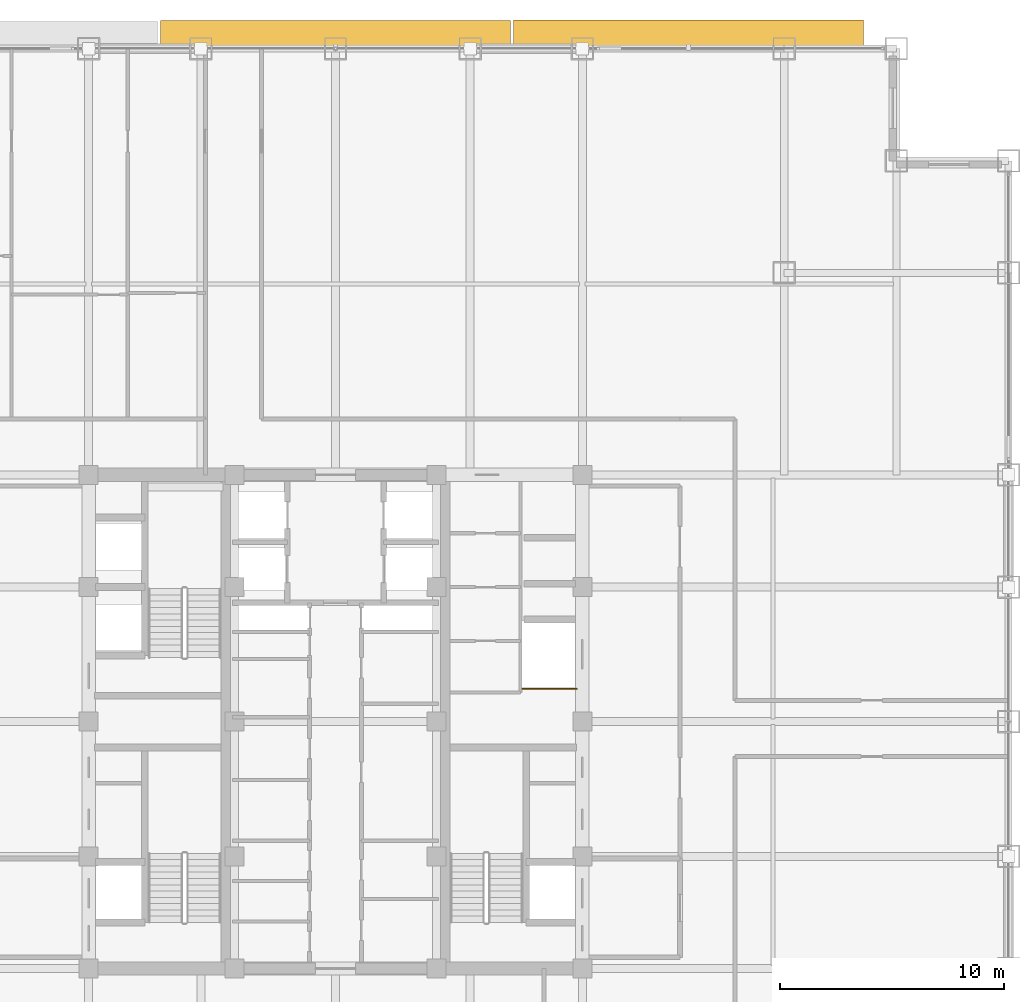
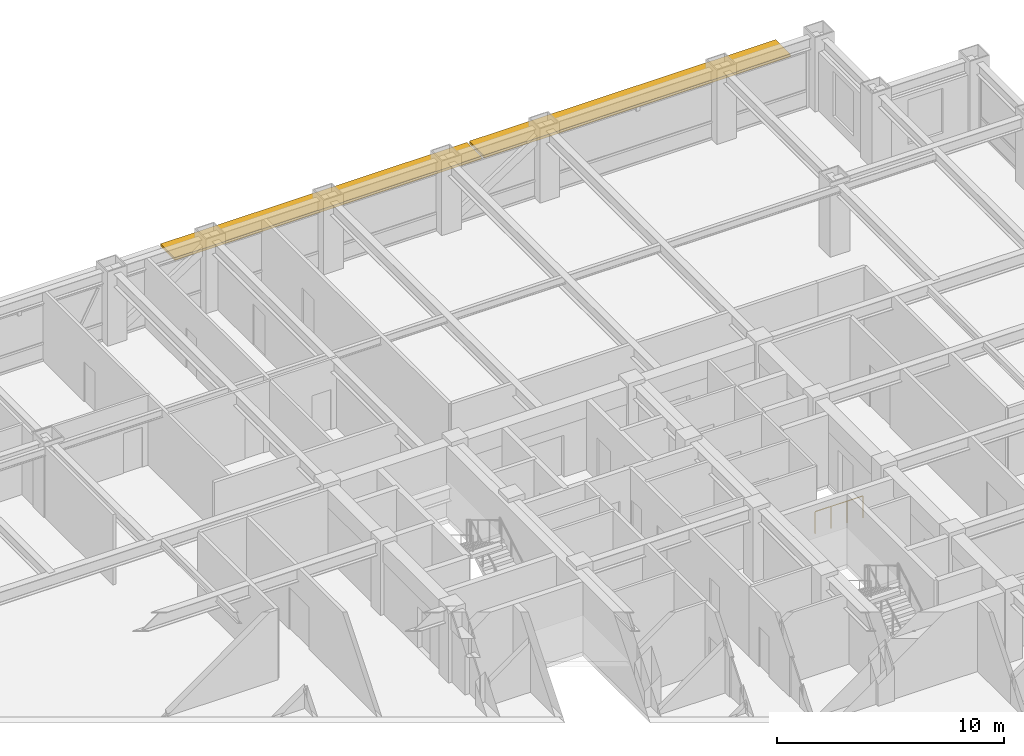
# One storey, part 29 of 29: 2 shading devices, 1 railing.
"""IFC4 building model written with IfcOpenShell, lengths in metres."""

import ifcopenshell
import ifcopenshell.guid

model = None  # the IFC model being written
_history = None  # IfcOwnerHistory: only IFC2X3 demands one
_inside = {}  # id of a spatial element -> (the spatial element, [elements in it])
_under = {}  # id of a project, library or spatial element -> (it, [spatial elements below it])
_declared = {}  # id of a project -> (the project, [libraries it declares])
_typed = {}  # id of a type object -> (the type object, [elements of that type])
_made_of = {}  # id of a material, layer set ... -> (it, [elements and type objects made of it])


def new_model(schema):
    """Start an empty IFC model of exactly this schema.

    Asked for "IFC4X3", IfcOpenShell would pick the latest addendum, in which some entities
    have other attributes; the version numbers below select the first issue.
    IFC2X3 requires an IfcOwnerHistory on every rooted entity: one is made here for all.
    """
    global model, _history
    if schema == "IFC4X3":
        model = ifcopenshell.file(schema_version=(4, 3, 0, 0))
    else:
        model = ifcopenshell.file(schema=schema)
    _inside.clear()
    _under.clear()
    _declared.clear()
    _typed.clear()
    _made_of.clear()
    _history = None
    if model.schema == "IFC2X3":
        org = make("IfcOrganization", Name="unknown")
        user = make(
            "IfcPersonAndOrganization",
            ThePerson=make("IfcPerson", FamilyName="unknown"),
            TheOrganization=org,
        )
        app = make(
            "IfcApplication",
            ApplicationDeveloper=org,
            Version="unknown",
            ApplicationFullName="unknown",
            ApplicationIdentifier="unknown",
        )
        _history = make(
            "IfcOwnerHistory",
            OwningUser=user,
            OwningApplication=app,
            ChangeAction="ADDED",
            CreationDate=0,
        )
    return model


def make(cls, **values):
    """One entity of the class cls with the attributes given. An attribute that is None is left unset."""
    return model.create_entity(
        cls, **{name: value for name, value in values.items() if value is not None}
    )


def rooted(cls, **values):
    """An entity with a GlobalId (a new one), such as an element, a storey or a relation."""
    return make(cls, GlobalId=ifcopenshell.guid.new(), OwnerHistory=_history, **values)


def si_unit(unit_type, name, prefix=None):
    """IfcSIUnit, for example si_unit("LENGTHUNIT", "METRE", prefix="MILLI")."""
    return make("IfcSIUnit", UnitType=unit_type, Prefix=prefix, Name=name)


def assignment(units):
    """IfcUnitAssignment: the units of a project."""
    return None if units is None else make("IfcUnitAssignment", Units=units)


def point(xyz):
    """IfcCartesianPoint."""
    return None if xyz is None else make("IfcCartesianPoint", Coordinates=xyz)


def direction(xyz):
    """IfcDirection."""
    return None if xyz is None else make("IfcDirection", DirectionRatios=xyz)


def frame(location, z_axis=None, x_axis=None):
    """IfcAxis2Placement3D, a coordinate frame: its origin and axes. An axis left out is left unset."""
    return make(
        "IfcAxis2Placement3D",
        Location=point(location),
        Axis=direction(z_axis),
        RefDirection=direction(x_axis),
    )


def frame_2d(location, x_axis=None):
    """IfcAxis2Placement2D, a coordinate frame in the plane: its origin and x axis."""
    return make(
        "IfcAxis2Placement2D", Location=point(location), RefDirection=direction(x_axis)
    )


def origin():
    """The frame at (0, 0, 0) with its axes left unset."""
    return frame((0.0, 0.0, 0.0))


def origin_2d():
    """The frame at (0, 0) in the plane with its x axis left unset."""
    return frame_2d((0.0, 0.0))


def place(relative_to, where):
    """IfcLocalPlacement: puts the frame where relative to a parent placement (None: the world)."""
    return make(
        "IfcLocalPlacement", PlacementRelTo=relative_to, RelativePlacement=where
    )


def context(
    kind, dimensions, precision=None, world=None, true_north=None, identifier=None
):
    """IfcGeometricRepresentationContext, for example the 3D "Model" context."""
    return make(
        "IfcGeometricRepresentationContext",
        ContextIdentifier=identifier,
        ContextType=kind,
        CoordinateSpaceDimension=dimensions,
        Precision=precision,
        WorldCoordinateSystem=world,
        TrueNorth=true_north,
    )


def subcontext(parent, identifier, kind, view, scale=None):
    """IfcGeometricRepresentationSubContext, for example "Body" below "Model"."""
    return make(
        "IfcGeometricRepresentationSubContext",
        ContextIdentifier=identifier,
        ContextType=kind,
        ParentContext=parent,
        TargetScale=scale,
        TargetView=view,
    )


def project(units=None, contexts=None):
    """IfcProject with its units and contexts."""
    return rooted(
        "IfcProject",
        Name="project",
        RepresentationContexts=contexts,
        UnitsInContext=assignment(units),
    )


def spatial(cls, under=None, at=None, **own):
    """A site, building, storey or space (cls), placed at a placement, below another one or the project."""
    s = rooted(cls, ObjectPlacement=at, **own)
    if under is not None:
        _under.setdefault(under.id(), (under, []))[1].append(s)
    return s


def profile(cls, at=None, kind="AREA", **sizes):
    """A parametric profile (cls). Its sizes go by their IFC names, for example OverallWidth=200.0."""
    return make(cls, ProfileType=kind, Position=at, **sizes)


def rectangle(**sizes):
    """IfcRectangleProfileDef."""
    return profile("IfcRectangleProfileDef", **sizes)


def circle(**sizes):
    """IfcCircleProfileDef."""
    return profile("IfcCircleProfileDef", **sizes)


def extrude(swept, where, along, depth):
    """IfcExtrudedAreaSolid: the profile swept, set in the frame where, extruded along a direction by depth."""
    return make(
        "IfcExtrudedAreaSolid",
        SweptArea=swept,
        Position=where,
        ExtrudedDirection=direction(along),
        Depth=depth,
    )


def shape(context_of_items, identifier, shape_type, items):
    """IfcShapeRepresentation: the items that make up one representation, for example the "Body"."""
    return make(
        "IfcShapeRepresentation",
        ContextOfItems=context_of_items,
        RepresentationIdentifier=identifier,
        RepresentationType=shape_type,
        Items=items,
    )


def source(mapping_origin, context_of_items, identifier, shape_type, items):
    """IfcRepresentationMap: a shape defined once, which mapped items show again and again."""
    return make(
        "IfcRepresentationMap",
        MappingOrigin=mapping_origin,
        MappedRepresentation=shape(context_of_items, identifier, shape_type, items),
    )


def transform(
    local_origin,
    x_axis=None,
    y_axis=None,
    z_axis=None,
    scale=None,
    scale2=None,
    scale3=None,
    uniform=True,
):
    """IfcCartesianTransformationOperator3D, or its non-uniform kind. x_axis, y_axis, z_axis: its Axis1, 2, 3."""
    if uniform:
        return make(
            "IfcCartesianTransformationOperator3D",
            Axis1=direction(x_axis),
            Axis2=direction(y_axis),
            LocalOrigin=point(local_origin),
            Scale=scale,
            Axis3=direction(z_axis),
        )
    return make(
        "IfcCartesianTransformationOperator3DnonUniform",
        Axis1=direction(x_axis),
        Axis2=direction(y_axis),
        LocalOrigin=point(local_origin),
        Scale=scale,
        Axis3=direction(z_axis),
        Scale2=scale2,
        Scale3=scale3,
    )


def mapped(mapping_source, mapping_target):
    """IfcMappedItem: shows the shape of a source again, moved by a transform."""
    return make(
        "IfcMappedItem", MappingSource=mapping_source, MappingTarget=mapping_target
    )


def material(Name=None, Category=None):
    """IfcMaterial."""
    return make("IfcMaterial", Name=Name, Category=Category)


def layer(
    of_material, thickness, ventilated=None, Name=None, Category=None, Priority=None
):
    """IfcMaterialLayer: one layer of a wall or slab, of a material (None: an air gap)."""
    return make(
        "IfcMaterialLayer",
        Material=of_material,
        LayerThickness=thickness,
        IsVentilated=ventilated,
        Name=Name,
        Category=Category,
        Priority=Priority,
    )


def layer_set(layers, Name=None):
    """IfcMaterialLayerSet."""
    return make("IfcMaterialLayerSet", MaterialLayers=layers, LayerSetName=Name)


def made_of(thing, what):
    """Note that an element or type object is made of a material, layer set ...; save() writes the relation."""
    if what is not None:
        _made_of.setdefault(what.id(), (what, []))[1].append(thing)
    return thing


def type_object(cls, material=None, **own):
    """A type object (cls), such as IfcWallType, which elements share."""
    return made_of(rooted(cls, **own), material)


def element(
    cls,
    number,
    at=None,
    inside=None,
    cuts=None,
    type_object=None,
    material=None,
    context=None,
    identifier="Body",
    shape_type=None,
    held_by="IfcProductDefinitionShape",
    body=None,
    shapes=None,
    **own,
):
    """One element of the class cls, such as IfcWall. Its Tag is "e" and its number.

    at: its placement. inside: the storey or other place that contains it. cuts: it is an
    opening in that element (IfcRelVoidsElement). A single representation is given by context,
    identifier, shape_type and body (its items); several are given by shapes. held_by: the class
    of the entity that holds the representations. save() writes the other relations.
    """
    e = rooted(cls, Tag="e%d" % number, ObjectPlacement=at, **own)
    if body is not None:
        shapes = [shape(context, identifier, shape_type, body)]
    if shapes is not None:
        e.Representation = make(held_by, Representations=shapes)
    if inside is not None:
        _inside.setdefault(inside.id(), (inside, []))[1].append(e)
    if cuts is not None:
        rooted(
            "IfcRelVoidsElement", RelatingBuildingElement=cuts, RelatedOpeningElement=e
        )
    if type_object is not None:
        _typed.setdefault(type_object.id(), (type_object, []))[1].append(e)
    return made_of(e, material)


def aggregate(whole, parts):
    """IfcRelAggregates: a whole, such as a stair, and the parts it consists of."""
    return rooted("IfcRelAggregates", RelatingObject=whole, RelatedObjects=parts)


def save(model, path):
    """Write the relations noted so far, then the file.

    IfcRelAggregates (storeys below a building ...), IfcRelContainedInSpatialStructure (elements
    in a storey), IfcRelDefinesByType, IfcRelAssociatesMaterial and IfcRelDeclares: one each for
    every whole, place, type object, material and project.
    """
    for whole, parts in _under.values():
        aggregate(whole, parts)
    for where, things in _inside.values():
        rooted(
            "IfcRelContainedInSpatialStructure",
            RelatedElements=things,
            RelatingStructure=where,
        )
    for kind, things in _typed.values():
        rooted("IfcRelDefinesByType", RelatedObjects=things, RelatingType=kind)
    for what, things in _made_of.values():
        rooted("IfcRelAssociatesMaterial", RelatedObjects=things, RelatingMaterial=what)
    for by, libraries in _declared.values():
        rooted("IfcRelDeclares", RelatingContext=by, RelatedDefinitions=libraries)
    model.write(path)


model = new_model("IFC4")

# Units and contexts
model_context = context("Model", 3, precision=1e-05, world=origin(), true_north=direction((0.0, 1.0)))
body_context = subcontext(model_context, "Body", "Model", "MODEL_VIEW")
ifc_project = project(units=[si_unit("LENGTHUNIT", "METRE"), si_unit("AREAUNIT", "SQUARE_METRE"), si_unit("VOLUMEUNIT", "CUBIC_METRE"), si_unit("PLANEANGLEUNIT", "RADIAN"), si_unit("MASSUNIT", "GRAM", prefix="KILO")], contexts=[model_context])

# Site, building, storey
site_placement = place(None, origin())
site = spatial("IfcSite", under=ifc_project, at=site_placement, CompositionType="ELEMENT")
building_placement = place(site_placement, origin())
building = spatial("IfcBuilding", under=site, at=building_placement, Name="Khorayat Bourse Tower", CompositionType="ELEMENT")
storey_placement = place(building_placement, frame((0.0, 0.0, 235.10009765625)))
storey = spatial("IfcBuildingStorey", under=building, at=storey_placement, Name="L55", CompositionType="ELEMENT", Elevation=235.10009765625)

# Shading devices
ifc_material_1 = material(Name="Precast concrete C45/55", Category="concrete")
ifc_layer = layer(ifc_material_1, 0.139892578125)
ifc_layer_set = layer_set([ifc_layer], Name="Precast concrete C45/55")
shading_device_type = type_object("IfcShadingDeviceType", Name="SHD-WAVE-TRAY-A", PredefinedType="USERDEFINED", material=ifc_layer_set)
shared_shape_1 = source(origin(), body_context, "Body", "SweptSolid", [
    extrude(rectangle(XDim=15.59326171875, YDim=1.260986328125, at=origin_2d()), origin(), (0.0, 0.0, 1.0), 0.139892578125),
])
shading_device_1_placement = place(storey_placement, frame((0.0, 30.610595703125, 3.02978515625), z_axis=(0.0, 0.0, 1.0), x_axis=(1.0, 0.0, 0.0)))
element("IfcShadingDevice", 1, at=shading_device_1_placement, inside=storey, type_object=shading_device_type, Name="L55 Sinusoidal Wave Sunshade Tray N-2", ObjectType="SUNSHADE", PredefinedType="USERDEFINED", context=body_context, shape_type="MappedRepresentation", body=[
    mapped(shared_shape_1, transform((0.0, 0.0, 0.0), scale=1.0)),
])
shared_shape_2 = source(origin(), body_context, "Body", "SweptSolid", [
    extrude(rectangle(XDim=15.59326171875, YDim=1.294189453125, at=origin_2d()), origin(), (0.0, 0.0, 1.0), 0.139892578125),
])
shading_device_2_placement = place(storey_placement, frame((15.7333984375, 30.627197265625, 3.02978515625), z_axis=(0.0, 0.0, 1.0), x_axis=(1.0, 0.0, 0.0)))
element("IfcShadingDevice", 2, at=shading_device_2_placement, inside=storey, type_object=shading_device_type, Name="L55 Sinusoidal Wave Sunshade Tray N-3", ObjectType="SUNSHADE", PredefinedType="USERDEFINED", context=body_context, shape_type="MappedRepresentation", body=[
    mapped(shared_shape_2, transform((0.0, 0.0, 0.0), scale=1.0)),
])

# Railing
ifc_material_2 = material(Name="Powder-coated steel balustrade", Category="steel")
railing_type = type_object("IfcRailingType", Name="RLG-GUARD-1200", PredefinedType="GUARDRAIL", material=ifc_material_2)
shared_shape_3 = source(origin(), body_context, "Body", "SweptSolid", [
    extrude(circle(Radius=0.02392578125, at=origin_2d()), frame((0.0, 0.0, 1.17578125), z_axis=(1.0, 0.0, 0.0), x_axis=(0.0, 1.0, 0.0)), (0.0, 0.0, 1.0), 2.429931640625),
    extrude(circle(Radius=0.02099609375, at=origin_2d()), origin(), (0.0, 0.0, 1.0), 1.15185546875),
    extrude(circle(Radius=0.02099609375, at=origin_2d()), frame((0.81005859375, 0.0, 0.0)), (0.0, 0.0, 1.0), 1.15185546875),
    extrude(circle(Radius=0.02099609375, at=origin_2d()), frame((1.619873046875, 0.0, 0.0)), (0.0, 0.0, 1.0), 1.15185546875),
    extrude(circle(Radius=0.02099609375, at=origin_2d()), frame((2.429931640625, 0.0, 0.0)), (0.0, 0.0, 1.0), 1.15185546875),
])
railing_placement = place(storey_placement, frame((8.320068359375, 1.4599609375, 0.0)))
element("IfcRailing", 3, at=railing_placement, inside=storey, type_object=railing_type, Name="L55 Goods Shaft Opening Guardrail", PredefinedType="GUARDRAIL", context=body_context, shape_type="MappedRepresentation", body=[
    mapped(shared_shape_3, transform((0.0, 0.0, 0.0), scale=1.0)),
])

save(model, "model.ifc")
